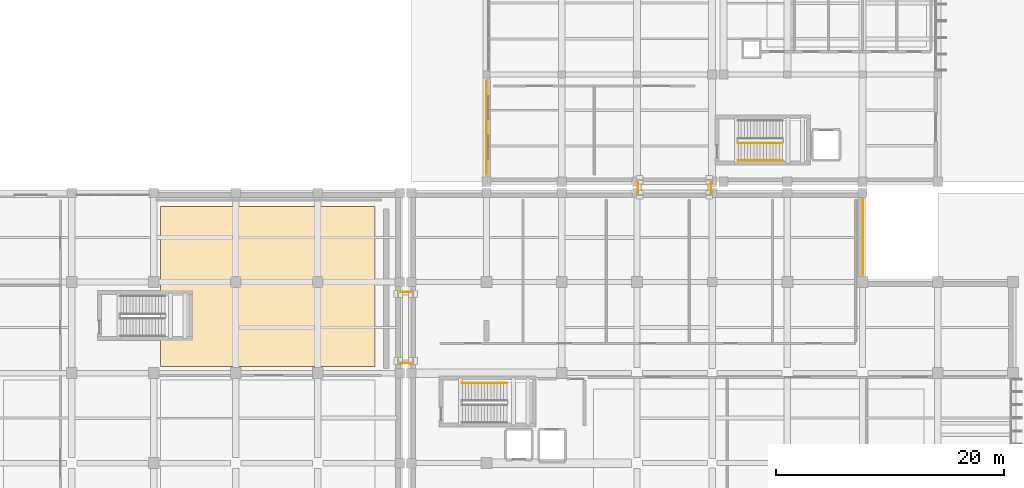
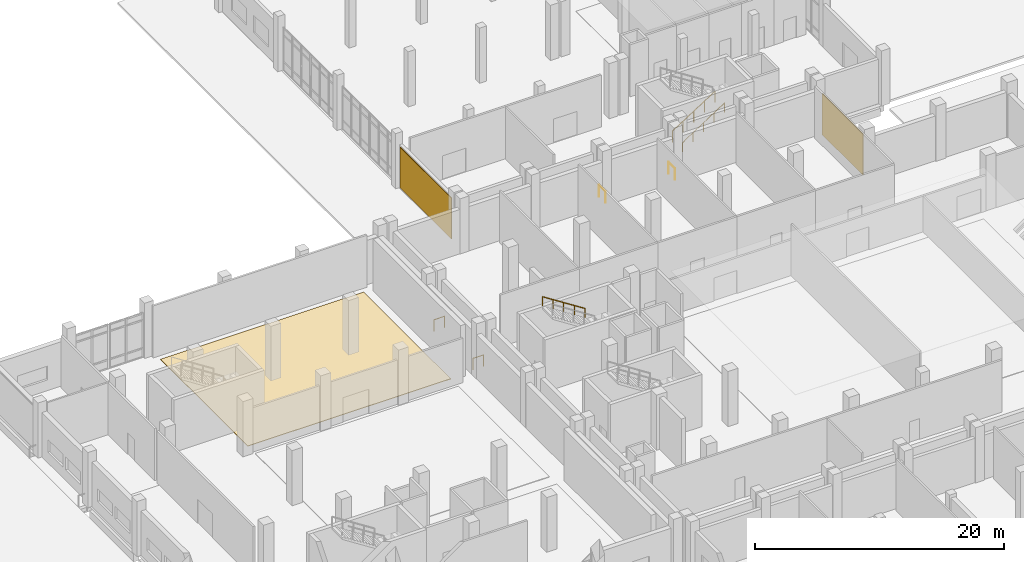
# One storey, part 77 of 79: 7 railings, 3 coverings.
"""IFC4 building model written with IfcOpenShell, lengths in metres."""

from ifc_helpers import new_model, si_unit, direction, frame, origin, origin_2d, place, context, subcontext, project, spatial, polyline, rectangle, circle, outline, extrude, material, layer, layer_set, type_object, element, save


model = new_model("IFC4")

# Units and contexts
model_context = context("Model", 3, precision=1e-05, world=origin(), true_north=direction((0.0, 1.0)))
body_context = subcontext(model_context, "Body", "Model", "MODEL_VIEW")
ifc_project = project(units=[si_unit("LENGTHUNIT", "METRE"), si_unit("AREAUNIT", "SQUARE_METRE"), si_unit("VOLUMEUNIT", "CUBIC_METRE"), si_unit("PLANEANGLEUNIT", "RADIAN"), si_unit("MASSUNIT", "GRAM", prefix="KILO")], contexts=[model_context])

# Site, building, storey
site_placement = place(None, origin())
site = spatial("IfcSite", under=ifc_project, at=site_placement, CompositionType="ELEMENT")
building_placement = place(site_placement, origin())
building = spatial("IfcBuilding", under=site, at=building_placement, Name="Kelarvand Opera House", CompositionType="ELEMENT")
storey_placement = place(building_placement, origin())
storey = spatial("IfcBuildingStorey", under=building, at=storey_placement, Name="L00", CompositionType="ELEMENT", Elevation=0.0)

# Coverings
ifc_material_1 = material(Name="Azarshahr buff travertine stone panels", Category="masonry")
ifc_layer_1 = layer(ifc_material_1, 0.06005859375, Name="Azarshahr buff travertine stone panels", Category="masonry")
ifc_layer_set_1 = layer_set([ifc_layer_1], Name="Azarshahr buff travertine stone panels")
covering_type_1 = type_object("IfcCoveringType", Name="Azarshahr Honed Travertine Rainscreen Cladding 60mm", PredefinedType="CLADDING", material=ifc_layer_set_1)
covering_1_placement = place(storey_placement, frame((128.64599609375, 82.33251953125, 0.10009765625), z_axis=(0.0, 0.0, 1.0), x_axis=(0.0, -1.0, 0.0)))
element("IfcCovering", 1, at=covering_1_placement, inside=storey, type_object=covering_type_1, Name="V1 Travertine Facade Cladding 1", PredefinedType="CLADDING", context=body_context, shape_type="SweptSolid", body=[
    extrude(rectangle(XDim=6.514892578125, YDim=0.06005859375, at=origin_2d()), origin(), (0.0, 0.0, 1.0), 4.0419921875),
])
covering_2_placement = place(storey_placement, frame((95.60400390625, 91.9423828125, 0.10009765625), z_axis=(0.0, 0.0, 1.0), x_axis=(0.0, 1.0, 0.0)))
element("IfcCovering", 2, at=covering_2_placement, inside=storey, type_object=covering_type_1, Name="V5 Travertine Facade Cladding 22", PredefinedType="CLADDING", context=body_context, shape_type="SweptSolid", body=[
    extrude(rectangle(XDim=8.264892578125, YDim=0.06005859375, at=origin_2d()), origin(), (0.0, 0.0, 1.0), 3.991943359375),
])

# Railings
ifc_material_2 = material(Name="Brushed bronze tubular rail")
railing_type_1 = type_object("IfcRailingType", Name="Brushed Bronze Stair Wall Handrail 900", PredefinedType="HANDRAIL", material=ifc_material_2)
railing_1_placement = place(storey_placement, frame((97.3798828125, 69.550048828125, 2.8798828125)))
element("IfcRailing", 3, at=railing_1_placement, inside=storey, type_object=railing_type_1, Name="L00 ST-01 stair handrail 2", PredefinedType="HANDRAIL", context=body_context, shape_type="SweptSolid", body=[
    extrude(circle(Radius=0.02392578125, at=origin_2d()), frame((0.0, 0.0, 0.8759765625), z_axis=(-0.841171666519, 0.0, 0.540768182723), x_axis=(0.0, -1.0, 0.0)), (0.0, 0.0, 1.0), 4.66015625),
    extrude(circle(Radius=0.02099609375, at=origin_2d()), origin(), (0.0, 0.0, 1.0), 0.851806640625),
    extrude(circle(Radius=0.02099609375, at=origin_2d()), frame((-0.97998046875, 0.0, 0.6298828125)), (0.0, 0.0, 1.0), 0.851806640625),
    extrude(circle(Radius=0.02099609375, at=origin_2d()), frame((-1.9599609375, 0.0, 1.260009765625)), (0.0, 0.0, 1.0), 0.851806640625),
    extrude(circle(Radius=0.02099609375, at=origin_2d()), frame((-2.93994140625, 0.0, 1.89013671875)), (0.0, 0.0, 1.0), 0.851806640625),
    extrude(circle(Radius=0.02099609375, at=origin_2d()), frame((-3.919921875, 0.0, 2.52001953125)), (0.0, 0.0, 1.0), 0.851806640625),
])
railing_2_placement = place(storey_placement, frame((117.659912109375, 89.050048828125, 0.179931640625)))
element("IfcRailing", 4, at=railing_2_placement, inside=storey, type_object=railing_type_1, Name="L00 ST-07 stair handrail 1", PredefinedType="HANDRAIL", context=body_context, shape_type="SweptSolid", body=[
    extrude(circle(Radius=0.02392578125, at=origin_2d()), frame((0.0, 0.0, 0.8759765625), z_axis=(0.841186985886, 0.0, 0.540744352514), x_axis=(0.0, 1.0, 0.0)), (0.0, 0.0, 1.0), 4.660400390625),
    extrude(circle(Radius=0.02099609375, at=origin_2d()), origin(), (0.0, 0.0, 1.0), 0.851806640625),
    extrude(circle(Radius=0.02099609375, at=origin_2d()), frame((0.97998046875, 0.0, 0.6298828125)), (0.0, 0.0, 1.0), 0.851806640625),
    extrude(circle(Radius=0.02099609375, at=origin_2d()), frame((1.9599609375, 0.0, 1.260009765625)), (0.0, 0.0, 1.0), 0.851806640625),
    extrude(circle(Radius=0.02099609375, at=origin_2d()), frame((2.940185546875, 0.0, 1.89013671875)), (0.0, 0.0, 1.0), 0.851806640625),
    extrude(circle(Radius=0.02099609375, at=origin_2d()), frame((3.920166015625, 0.0, 2.52001953125)), (0.0, 0.0, 1.0), 0.851806640625),
])
ifc_material_3 = material(Name="Laminated safety glass with bronze cap rail", Category="glass")
railing_type_2 = type_object("IfcRailingType", Name="Laminated Glass and Bronze Foyer Balustrade 1120", PredefinedType="BALUSTRADE", material=ifc_material_3)
for number, where, name in (
    (5, (88.0, 71.280029296875, 0.0), "V1 L00 Balustrade 135"),
    (6, (88.0, 77.52001953125, 0.0), "V1 L00 Balustrade 136"),
):
    element("IfcRailing", number, at=place(storey_placement, frame(where)), inside=storey, type_object=railing_type_2, Name=name, PredefinedType="BALUSTRADE", context=body_context, shape_type="SweptSolid", body=[
        extrude(circle(Radius=0.02392578125, at=origin_2d()), frame((0.0, 0.0, 1.09619140625), z_axis=(1.0, 0.0, 0.0), x_axis=(0.0, 1.0, 0.0)), (0.0, 0.0, 1.0), 1.0),
        extrude(circle(Radius=0.02099609375, at=origin_2d()), origin(), (0.0, 0.0, 1.0), 1.072021484375),
        extrude(circle(Radius=0.02099609375, at=origin_2d()), frame((1.0, 0.0, 0.0)), (0.0, 0.0, 1.0), 1.072021484375),
    ])
for number, where, name in (
    (7, (108.8798828125, 86.199951171875, 0.0), "V1 L00 Balustrade 171"),
    (8, (115.320068359375, 86.199951171875, 0.0), "V1 L00 Balustrade 172"),
):
    element("IfcRailing", number, at=place(storey_placement, frame(where)), inside=storey, type_object=railing_type_2, Name=name, PredefinedType="BALUSTRADE", context=body_context, shape_type="SweptSolid", body=[
        extrude(circle(Radius=0.02392578125, at=origin_2d()), frame((0.0, 0.0, 1.09619140625), z_axis=(0.0, 1.0, 0.0), x_axis=(-1.0, 0.0, 0.0)), (0.0, 0.0, 1.0), 1.0),
        extrude(circle(Radius=0.02099609375, at=origin_2d()), origin(), (0.0, 0.0, 1.0), 1.072021484375),
        extrude(circle(Radius=0.02099609375, at=origin_2d()), frame((0.0, 1.0, 0.0)), (0.0, 0.0, 1.0), 1.072021484375),
    ])
ifc_material_4 = material(Name="Powder-coated Steel S355", Category="steel")
railing_type_3 = type_object("IfcRailingType", Name="Painted Steel Stair and Void Guardrail 1100", PredefinedType="GUARDRAIL", material=ifc_material_4)
railing_3_placement = place(storey_placement, frame((117.659912109375, 90.610107421875, 0.179931640625)))
element("IfcRailing", 9, at=railing_3_placement, inside=storey, type_object=railing_type_3, Name="L00 ST-07 stair guard 1", PredefinedType="GUARDRAIL", context=body_context, shape_type="SweptSolid", body=[
    extrude(circle(Radius=0.02392578125, at=origin_2d()), frame((0.0, 0.0, 1.076171875), z_axis=(0.841186985886, 0.0, 0.540744352514), x_axis=(0.0, 1.0, 0.0)), (0.0, 0.0, 1.0), 4.660400390625),
    extrude(circle(Radius=0.02099609375, at=origin_2d()), origin(), (0.0, 0.0, 1.0), 1.052001953125),
    extrude(circle(Radius=0.02099609375, at=origin_2d()), frame((0.97998046875, 0.0, 0.6298828125)), (0.0, 0.0, 1.0), 1.052001953125),
    extrude(circle(Radius=0.02099609375, at=origin_2d()), frame((1.9599609375, 0.0, 1.260009765625)), (0.0, 0.0, 1.0), 1.052001953125),
    extrude(circle(Radius=0.02099609375, at=origin_2d()), frame((2.940185546875, 0.0, 1.89013671875)), (0.0, 0.0, 1.0), 1.052001953125),
    extrude(circle(Radius=0.02099609375, at=origin_2d()), frame((3.920166015625, 0.0, 2.52001953125)), (0.0, 0.0, 1.0), 1.052001953125),
])

# Covering
ifc_material_5 = material(Name="Sprung rift-sawn timber stage flooring", Category="wood")
ifc_layer_2 = layer(ifc_material_5, 0.050048828125, Name="Sprung rift-sawn timber stage flooring", Category="wood")
ifc_layer_set_2 = layer_set([ifc_layer_2], Name="Sprung rift-sawn timber stage flooring")
covering_type_2 = type_object("IfcCoveringType", Name="Sprung Oregon Pine Stage and Rehearsal Flooring 50mm", PredefinedType="FLOORING", material=ifc_layer_set_2)
covering_3_placement = place(storey_placement, origin())
element("IfcCovering", 10, at=covering_3_placement, inside=storey, type_object=covering_type_2, Name="V2 L00 Architectural Flooring 2", PredefinedType="FLOORING", context=body_context, shape_type="SweptSolid", body=[
    extrude(outline(polyline([(67.0, 71.0), (85.800048828125, 71.0), (85.800048828125, 85.0), (67.0, 85.0), (67.0, 71.0)])), origin(), (0.0, 0.0, 1.0), 0.050048828125),
])

save(model, "model.ifc")
